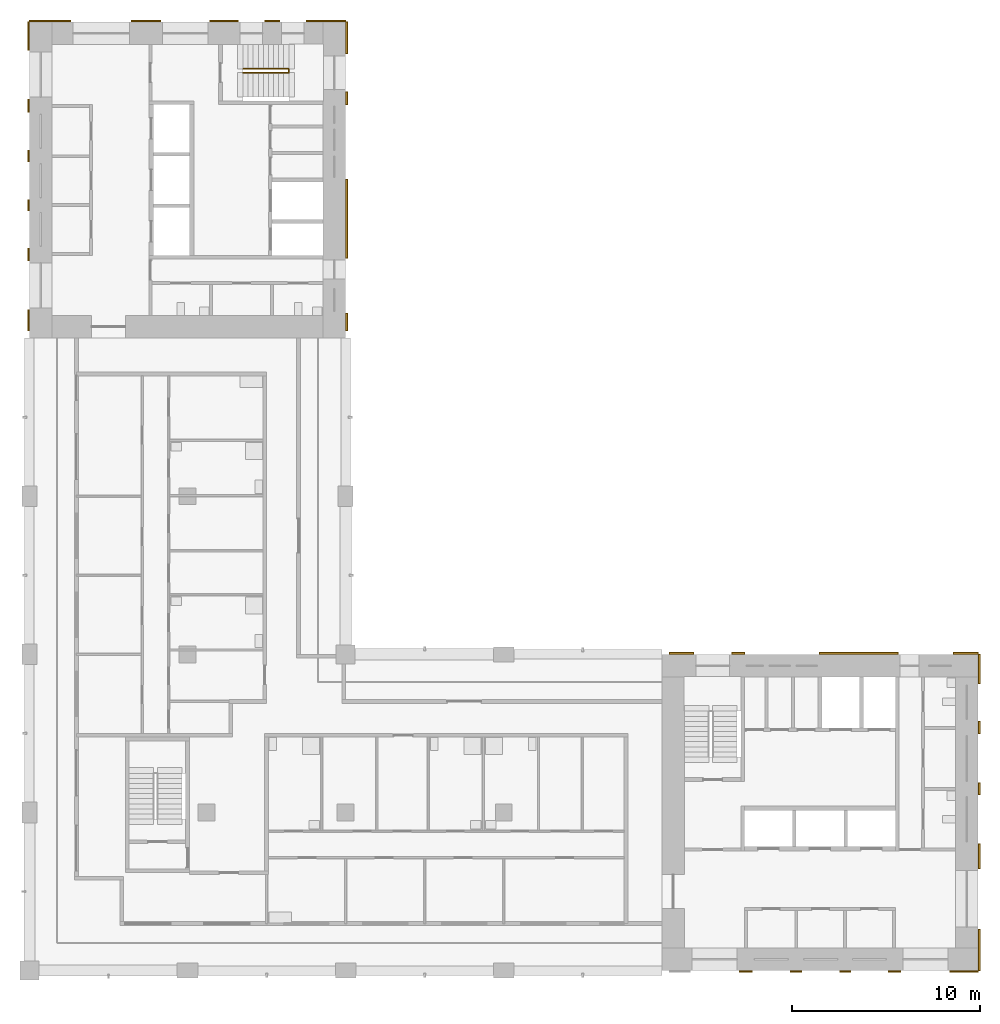
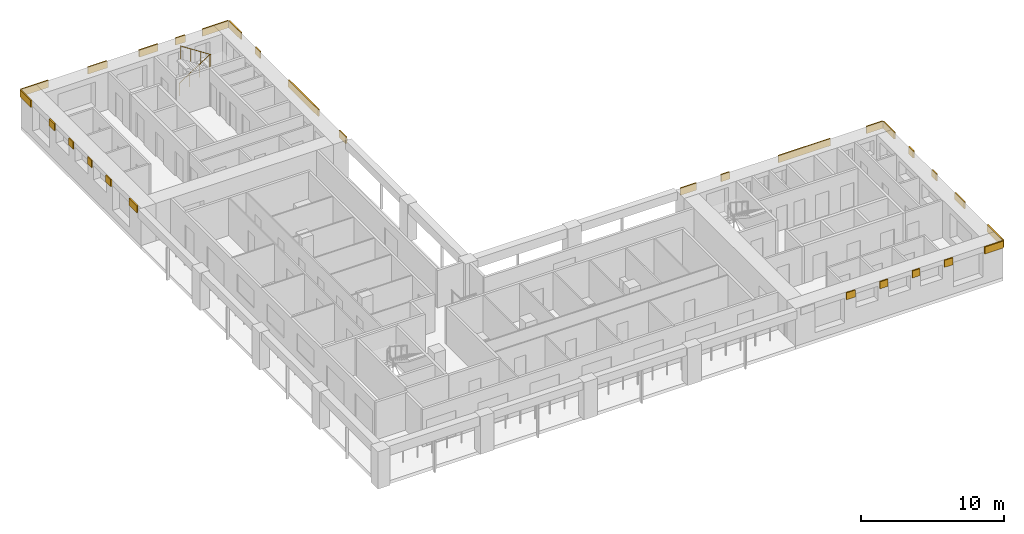
# One storey, part 9 of 10: 29 shading devices, 1 railing.
"""IFC4 building model written with IfcOpenShell, lengths in metres."""

import ifcopenshell
import ifcopenshell.guid

model = None  # the IFC model being written
_history = None  # IfcOwnerHistory: only IFC2X3 demands one
_inside = {}  # id of a spatial element -> (the spatial element, [elements in it])
_under = {}  # id of a project, library or spatial element -> (it, [spatial elements below it])
_declared = {}  # id of a project -> (the project, [libraries it declares])
_typed = {}  # id of a type object -> (the type object, [elements of that type])
_made_of = {}  # id of a material, layer set ... -> (it, [elements and type objects made of it])


def new_model(schema):
    """Start an empty IFC model of exactly this schema.

    Asked for "IFC4X3", IfcOpenShell would pick the latest addendum, in which some entities
    have other attributes; the version numbers below select the first issue.
    IFC2X3 requires an IfcOwnerHistory on every rooted entity: one is made here for all.
    """
    global model, _history
    if schema == "IFC4X3":
        model = ifcopenshell.file(schema_version=(4, 3, 0, 0))
    else:
        model = ifcopenshell.file(schema=schema)
    _inside.clear()
    _under.clear()
    _declared.clear()
    _typed.clear()
    _made_of.clear()
    _history = None
    if model.schema == "IFC2X3":
        org = make("IfcOrganization", Name="unknown")
        user = make(
            "IfcPersonAndOrganization",
            ThePerson=make("IfcPerson", FamilyName="unknown"),
            TheOrganization=org,
        )
        app = make(
            "IfcApplication",
            ApplicationDeveloper=org,
            Version="unknown",
            ApplicationFullName="unknown",
            ApplicationIdentifier="unknown",
        )
        _history = make(
            "IfcOwnerHistory",
            OwningUser=user,
            OwningApplication=app,
            ChangeAction="ADDED",
            CreationDate=0,
        )
    return model


def make(cls, **values):
    """One entity of the class cls with the attributes given. An attribute that is None is left unset."""
    return model.create_entity(
        cls, **{name: value for name, value in values.items() if value is not None}
    )


def rooted(cls, **values):
    """An entity with a GlobalId (a new one), such as an element, a storey or a relation."""
    return make(cls, GlobalId=ifcopenshell.guid.new(), OwnerHistory=_history, **values)


def si_unit(unit_type, name, prefix=None):
    """IfcSIUnit, for example si_unit("LENGTHUNIT", "METRE", prefix="MILLI")."""
    return make("IfcSIUnit", UnitType=unit_type, Prefix=prefix, Name=name)


def assignment(units):
    """IfcUnitAssignment: the units of a project."""
    return None if units is None else make("IfcUnitAssignment", Units=units)


def point(xyz):
    """IfcCartesianPoint."""
    return None if xyz is None else make("IfcCartesianPoint", Coordinates=xyz)


def direction(xyz):
    """IfcDirection."""
    return None if xyz is None else make("IfcDirection", DirectionRatios=xyz)


def frame(location, z_axis=None, x_axis=None):
    """IfcAxis2Placement3D, a coordinate frame: its origin and axes. An axis left out is left unset."""
    return make(
        "IfcAxis2Placement3D",
        Location=point(location),
        Axis=direction(z_axis),
        RefDirection=direction(x_axis),
    )


def frame_2d(location, x_axis=None):
    """IfcAxis2Placement2D, a coordinate frame in the plane: its origin and x axis."""
    return make(
        "IfcAxis2Placement2D", Location=point(location), RefDirection=direction(x_axis)
    )


def origin():
    """The frame at (0, 0, 0) with its axes left unset."""
    return frame((0.0, 0.0, 0.0))


def origin_2d():
    """The frame at (0, 0) in the plane with its x axis left unset."""
    return frame_2d((0.0, 0.0))


def place(relative_to, where):
    """IfcLocalPlacement: puts the frame where relative to a parent placement (None: the world)."""
    return make(
        "IfcLocalPlacement", PlacementRelTo=relative_to, RelativePlacement=where
    )


def context(
    kind, dimensions, precision=None, world=None, true_north=None, identifier=None
):
    """IfcGeometricRepresentationContext, for example the 3D "Model" context."""
    return make(
        "IfcGeometricRepresentationContext",
        ContextIdentifier=identifier,
        ContextType=kind,
        CoordinateSpaceDimension=dimensions,
        Precision=precision,
        WorldCoordinateSystem=world,
        TrueNorth=true_north,
    )


def subcontext(parent, identifier, kind, view, scale=None):
    """IfcGeometricRepresentationSubContext, for example "Body" below "Model"."""
    return make(
        "IfcGeometricRepresentationSubContext",
        ContextIdentifier=identifier,
        ContextType=kind,
        ParentContext=parent,
        TargetScale=scale,
        TargetView=view,
    )


def project(units=None, contexts=None):
    """IfcProject with its units and contexts."""
    return rooted(
        "IfcProject",
        Name="project",
        RepresentationContexts=contexts,
        UnitsInContext=assignment(units),
    )


def spatial(cls, under=None, at=None, **own):
    """A site, building, storey or space (cls), placed at a placement, below another one or the project."""
    s = rooted(cls, ObjectPlacement=at, **own)
    if under is not None:
        _under.setdefault(under.id(), (under, []))[1].append(s)
    return s


def profile(cls, at=None, kind="AREA", **sizes):
    """A parametric profile (cls). Its sizes go by their IFC names, for example OverallWidth=200.0."""
    return make(cls, ProfileType=kind, Position=at, **sizes)


def rectangle(**sizes):
    """IfcRectangleProfileDef."""
    return profile("IfcRectangleProfileDef", **sizes)


def circle(**sizes):
    """IfcCircleProfileDef."""
    return profile("IfcCircleProfileDef", **sizes)


def extrude(swept, where, along, depth):
    """IfcExtrudedAreaSolid: the profile swept, set in the frame where, extruded along a direction by depth."""
    return make(
        "IfcExtrudedAreaSolid",
        SweptArea=swept,
        Position=where,
        ExtrudedDirection=direction(along),
        Depth=depth,
    )


def shape(context_of_items, identifier, shape_type, items):
    """IfcShapeRepresentation: the items that make up one representation, for example the "Body"."""
    return make(
        "IfcShapeRepresentation",
        ContextOfItems=context_of_items,
        RepresentationIdentifier=identifier,
        RepresentationType=shape_type,
        Items=items,
    )


def material(Name=None, Category=None):
    """IfcMaterial."""
    return make("IfcMaterial", Name=Name, Category=Category)


def layer(
    of_material, thickness, ventilated=None, Name=None, Category=None, Priority=None
):
    """IfcMaterialLayer: one layer of a wall or slab, of a material (None: an air gap)."""
    return make(
        "IfcMaterialLayer",
        Material=of_material,
        LayerThickness=thickness,
        IsVentilated=ventilated,
        Name=Name,
        Category=Category,
        Priority=Priority,
    )


def layer_set(layers, Name=None):
    """IfcMaterialLayerSet."""
    return make("IfcMaterialLayerSet", MaterialLayers=layers, LayerSetName=Name)


def made_of(thing, what):
    """Note that an element or type object is made of a material, layer set ...; save() writes the relation."""
    if what is not None:
        _made_of.setdefault(what.id(), (what, []))[1].append(thing)
    return thing


def type_object(cls, material=None, **own):
    """A type object (cls), such as IfcWallType, which elements share."""
    return made_of(rooted(cls, **own), material)


def element(
    cls,
    number,
    at=None,
    inside=None,
    cuts=None,
    type_object=None,
    material=None,
    context=None,
    identifier="Body",
    shape_type=None,
    held_by="IfcProductDefinitionShape",
    body=None,
    shapes=None,
    **own,
):
    """One element of the class cls, such as IfcWall. Its Tag is "e" and its number.

    at: its placement. inside: the storey or other place that contains it. cuts: it is an
    opening in that element (IfcRelVoidsElement). A single representation is given by context,
    identifier, shape_type and body (its items); several are given by shapes. held_by: the class
    of the entity that holds the representations. save() writes the other relations.
    """
    e = rooted(cls, Tag="e%d" % number, ObjectPlacement=at, **own)
    if body is not None:
        shapes = [shape(context, identifier, shape_type, body)]
    if shapes is not None:
        e.Representation = make(held_by, Representations=shapes)
    if inside is not None:
        _inside.setdefault(inside.id(), (inside, []))[1].append(e)
    if cuts is not None:
        rooted(
            "IfcRelVoidsElement", RelatingBuildingElement=cuts, RelatedOpeningElement=e
        )
    if type_object is not None:
        _typed.setdefault(type_object.id(), (type_object, []))[1].append(e)
    return made_of(e, material)


def aggregate(whole, parts):
    """IfcRelAggregates: a whole, such as a stair, and the parts it consists of."""
    return rooted("IfcRelAggregates", RelatingObject=whole, RelatedObjects=parts)


def save(model, path):
    """Write the relations noted so far, then the file.

    IfcRelAggregates (storeys below a building ...), IfcRelContainedInSpatialStructure (elements
    in a storey), IfcRelDefinesByType, IfcRelAssociatesMaterial and IfcRelDeclares: one each for
    every whole, place, type object, material and project.
    """
    for whole, parts in _under.values():
        aggregate(whole, parts)
    for where, things in _inside.values():
        rooted(
            "IfcRelContainedInSpatialStructure",
            RelatedElements=things,
            RelatingStructure=where,
        )
    for kind, things in _typed.values():
        rooted("IfcRelDefinesByType", RelatedObjects=things, RelatingType=kind)
    for what, things in _made_of.values():
        rooted("IfcRelAssociatesMaterial", RelatedObjects=things, RelatingMaterial=what)
    for by, libraries in _declared.values():
        rooted("IfcRelDeclares", RelatingContext=by, RelatedDefinitions=libraries)
    model.write(path)


model = new_model("IFC4")

# Units and contexts
model_context = context("Model", 3, precision=1e-05, world=origin(), true_north=direction((0.0, 1.0)))
body_context = subcontext(model_context, "Body", "Model", "MODEL_VIEW")
ifc_project = project(units=[si_unit("LENGTHUNIT", "METRE"), si_unit("AREAUNIT", "SQUARE_METRE"), si_unit("VOLUMEUNIT", "CUBIC_METRE"), si_unit("PLANEANGLEUNIT", "RADIAN"), si_unit("MASSUNIT", "GRAM", prefix="KILO")], contexts=[model_context])

# Site, building, storey
site_placement = place(None, origin())
site = spatial("IfcSite", under=ifc_project, at=site_placement, CompositionType="ELEMENT")
building_placement = place(site_placement, origin())
building = spatial("IfcBuilding", under=site, at=building_placement, Name="Vermilion Gate Residences", CompositionType="ELEMENT")
storey_placement = place(building_placement, frame((0.0, 0.0, 273.699951171875)))
storey = spatial("IfcBuildingStorey", under=building, at=storey_placement, Name="L72", CompositionType="ELEMENT", Elevation=273.699951171875)

# Railing
ifc_material_1 = material(Name="Steel S355", Category="steel")
railing_type = type_object("IfcRailingType", Name="STAIR GUARD 1100 STEEL", PredefinedType="GUARDRAIL", material=ifc_material_1)
railing_placement = place(storey_placement, frame((19.75, 56.300048828125, 0.175048828125)))
element("IfcRailing", 1, at=railing_placement, inside=storey, type_object=railing_type, Name="Stair well guard STB1-72", PredefinedType="GUARDRAIL", context=body_context, shape_type="SweptSolid", body=[
    extrude(circle(Radius=0.02392578125, at=origin_2d()), frame((0.0, 0.0, 1.076171875), z_axis=(0.839153699163, 0.0, 0.543894354798), x_axis=(0.0, 1.0, 0.0)), (0.0, 0.0, 1.0), 2.895751953125),
    extrude(circle(Radius=0.02392578125, at=origin_2d()), frame((2.429931640625, 0.0, 2.65087890625), z_axis=(0.0, -0.752405939678, 0.658699705433), x_axis=(1.0, 0.0, 0.0)), (0.0, 0.0, 1.0), 0.265869140625),
    extrude(circle(Radius=0.02392578125, at=origin_2d()), frame((2.429931640625, -0.199951171875, 2.826171875), z_axis=(-0.839153699163, 0.0, 0.543894354798), x_axis=(0.0, -1.0, 0.0)), (0.0, 0.0, 1.0), 2.895751953125),
    extrude(circle(Radius=0.02099609375, at=origin_2d()), origin(), (0.0, 0.0, 1.0), 1.052001953125),
    extrude(circle(Radius=0.02099609375, at=origin_2d()), frame((0.81005859375, 0.0, 0.52490234375)), (0.0, 0.0, 1.0), 1.052001953125),
    extrude(circle(Radius=0.02099609375, at=origin_2d()), frame((1.619873046875, 0.0, 1.050048828125)), (0.0, 0.0, 1.0), 1.052001953125),
    extrude(circle(Radius=0.02099609375, at=origin_2d()), frame((2.429931640625, 0.0, 1.574951171875)), (0.0, 0.0, 1.0), 1.052001953125),
    extrude(circle(Radius=0.02099609375, at=origin_2d()), frame((2.429931640625, -0.199951171875, 1.75)), (0.0, 0.0, 1.0), 1.052001953125),
    extrude(circle(Radius=0.02099609375, at=origin_2d()), frame((1.619873046875, -0.199951171875, 2.27490234375)), (0.0, 0.0, 1.0), 1.052001953125),
    extrude(circle(Radius=0.02099609375, at=origin_2d()), frame((0.81005859375, -0.199951171875, 2.800048828125)), (0.0, 0.0, 1.0), 1.052001953125),
    extrude(circle(Radius=0.02099609375, at=origin_2d()), frame((0.0, -0.199951171875, 3.324951171875)), (0.0, 0.0, 1.0), 1.052001953125),
])

# Shading devices
ifc_material_2 = material(Name="Extruded terracotta", Category="masonry")
ifc_layer = layer(ifc_material_2, 0.10009765625)
ifc_layer_set = layer_set([ifc_layer], Name="TERRACOTTA SPANDREL BAND 600 X 100")
shading_device_type = type_object("IfcShadingDeviceType", Name="TERRACOTTA SPANDREL BAND 600 X 100", PredefinedType="USERDEFINED", material=ifc_layer_set)
shading_device_1_placement = place(storey_placement, frame((46.4541015625, 8.35009765625, 2.60009765625), z_axis=(0.0, 0.0, 1.0), x_axis=(1.0, 0.0, 0.0)))
element("IfcShadingDevice", 2, at=shading_device_1_placement, inside=storey, type_object=shading_device_type, Name="SPANDREL BAND", ObjectType="BAND", PredefinedType="USERDEFINED", context=body_context, shape_type="SweptSolid", body=[
    extrude(rectangle(XDim=0.7080078125, YDim=0.10009765625, at=origin_2d()), origin(), (0.0, 0.0, 1.0), 0.60009765625),
])
shading_device_2_placement = place(storey_placement, frame((49.12255859375, 8.35009765625, 2.60009765625), z_axis=(0.0, 0.0, 1.0), x_axis=(1.0, 0.0, 0.0)))
element("IfcShadingDevice", 3, at=shading_device_2_placement, inside=storey, type_object=shading_device_type, Name="SPANDREL BAND", ObjectType="BAND", PredefinedType="USERDEFINED", context=body_context, shape_type="SweptSolid", body=[
    extrude(rectangle(XDim=0.62890625, YDim=0.10009765625, at=origin_2d()), origin(), (0.0, 0.0, 1.0), 0.60009765625),
])
shading_device_3_placement = place(storey_placement, frame((51.73291015625, 8.35009765625, 2.60009765625), z_axis=(0.0, 0.0, 1.0), x_axis=(1.0, 0.0, 0.0)))
element("IfcShadingDevice", 4, at=shading_device_3_placement, inside=storey, type_object=shading_device_type, Name="SPANDREL BAND", ObjectType="BAND", PredefinedType="USERDEFINED", context=body_context, shape_type="SweptSolid", body=[
    extrude(rectangle(XDim=0.592041015625, YDim=0.10009765625, at=origin_2d()), origin(), (0.0, 0.0, 1.0), 0.60009765625),
])
shading_device_4_placement = place(storey_placement, frame((54.364501953125, 8.35009765625, 2.60009765625), z_axis=(0.0, 0.0, 1.0), x_axis=(1.0, 0.0, 0.0)))
element("IfcShadingDevice", 5, at=shading_device_4_placement, inside=storey, type_object=shading_device_type, Name="SPANDREL BAND", ObjectType="BAND", PredefinedType="USERDEFINED", context=body_context, shape_type="SweptSolid", body=[
    extrude(rectangle(XDim=0.6708984375, YDim=0.10009765625, at=origin_2d()), origin(), (0.0, 0.0, 1.0), 0.60009765625),
])
shading_device_5_placement = place(storey_placement, frame((58.050048828125, 8.35009765625, 2.60009765625), z_axis=(0.0, 0.0, 1.0), x_axis=(1.0, 0.0, 0.0)))
element("IfcShadingDevice", 6, at=shading_device_5_placement, inside=storey, type_object=shading_device_type, Name="SPANDREL BAND", ObjectType="BAND", PredefinedType="USERDEFINED", context=body_context, shape_type="SweptSolid", body=[
    extrude(rectangle(XDim=1.5, YDim=0.10009765625, at=origin_2d()), origin(), (0.0, 0.0, 1.0), 0.60009765625),
])
shading_device_6_placement = place(storey_placement, frame((43.050048828125, 25.25, 2.60009765625), z_axis=(0.0, 0.0, 1.0), x_axis=(1.0, 0.0, 0.0)))
element("IfcShadingDevice", 7, at=shading_device_6_placement, inside=storey, type_object=shading_device_type, Name="SPANDREL BAND", ObjectType="BAND", PredefinedType="USERDEFINED", context=body_context, shape_type="SweptSolid", body=[
    extrude(rectangle(XDim=1.300048828125, YDim=0.10009765625, at=origin_2d()), origin(), (0.0, 0.0, 1.0), 0.60009765625),
])
shading_device_7_placement = place(storey_placement, frame((46.044921875, 25.25, 2.60009765625), z_axis=(0.0, 0.0, 1.0), x_axis=(1.0, 0.0, 0.0)))
element("IfcShadingDevice", 8, at=shading_device_7_placement, inside=storey, type_object=shading_device_type, Name="SPANDREL BAND", ObjectType="BAND", PredefinedType="USERDEFINED", context=body_context, shape_type="SweptSolid", body=[
    extrude(rectangle(XDim=0.68994140625, YDim=0.10009765625, at=origin_2d()), origin(), (0.0, 0.0, 1.0), 0.60009765625),
])
shading_device_8_placement = place(storey_placement, frame((52.449951171875, 25.25, 2.60009765625), z_axis=(0.0, 0.0, 1.0), x_axis=(1.0, 0.0, 0.0)))
element("IfcShadingDevice", 9, at=shading_device_8_placement, inside=storey, type_object=shading_device_type, Name="SPANDREL BAND", ObjectType="BAND", PredefinedType="USERDEFINED", context=body_context, shape_type="SweptSolid", body=[
    extrude(rectangle(XDim=4.199951171875, YDim=0.10009765625, at=origin_2d()), origin(), (0.0, 0.0, 1.0), 0.60009765625),
])
shading_device_9_placement = place(storey_placement, frame((58.137451171875, 25.25, 2.60009765625), z_axis=(0.0, 0.0, 1.0), x_axis=(1.0, 0.0, 0.0)))
element("IfcShadingDevice", 10, at=shading_device_9_placement, inside=storey, type_object=shading_device_type, Name="SPANDREL BAND", ObjectType="BAND", PredefinedType="USERDEFINED", context=body_context, shape_type="SweptSolid", body=[
    extrude(rectangle(XDim=1.324951171875, YDim=0.10009765625, at=origin_2d()), origin(), (0.0, 0.0, 1.0), 0.60009765625),
])
shading_device_10_placement = place(storey_placement, frame((58.85009765625, 9.50244140625, 2.60009765625), z_axis=(0.0, 0.0, 1.0), x_axis=(0.0, 1.0, 0.0)))
element("IfcShadingDevice", 11, at=shading_device_10_placement, inside=storey, type_object=shading_device_type, Name="SPANDREL BAND", ObjectType="BAND", PredefinedType="USERDEFINED", context=body_context, shape_type="SweptSolid", body=[
    extrude(rectangle(XDim=2.205078125, YDim=0.10009765625, at=origin_2d()), origin(), (0.0, 0.0, 1.0), 0.60009765625),
])
shading_device_11_placement = place(storey_placement, frame((58.85009765625, 14.472412109375, 2.60009765625), z_axis=(0.0, 0.0, 1.0), x_axis=(0.0, 1.0, 0.0)))
element("IfcShadingDevice", 12, at=shading_device_11_placement, inside=storey, type_object=shading_device_type, Name="SPANDREL BAND", ObjectType="BAND", PredefinedType="USERDEFINED", context=body_context, shape_type="SweptSolid", body=[
    extrude(rectangle(XDim=1.3349609375, YDim=0.10009765625, at=origin_2d()), origin(), (0.0, 0.0, 1.0), 0.60009765625),
])
shading_device_12_placement = place(storey_placement, frame((58.85009765625, 18.054931640625, 2.60009765625), z_axis=(0.0, 0.0, 1.0), x_axis=(0.0, 1.0, 0.0)))
element("IfcShadingDevice", 13, at=shading_device_12_placement, inside=storey, type_object=shading_device_type, Name="SPANDREL BAND", ObjectType="BAND", PredefinedType="USERDEFINED", context=body_context, shape_type="SweptSolid", body=[
    extrude(rectangle(XDim=0.6298828125, YDim=0.10009765625, at=origin_2d()), origin(), (0.0, 0.0, 1.0), 0.60009765625),
])
shading_device_13_placement = place(storey_placement, frame((58.85009765625, 21.31005859375, 2.60009765625), z_axis=(0.0, 0.0, 1.0), x_axis=(0.0, 1.0, 0.0)))
element("IfcShadingDevice", 14, at=shading_device_13_placement, inside=storey, type_object=shading_device_type, Name="SPANDREL BAND", ObjectType="BAND", PredefinedType="USERDEFINED", context=body_context, shape_type="SweptSolid", body=[
    extrude(rectangle(XDim=0.679931640625, YDim=0.10009765625, at=origin_2d()), origin(), (0.0, 0.0, 1.0), 0.60009765625),
])
shading_device_14_placement = place(storey_placement, frame((58.85009765625, 24.425048828125, 2.60009765625), z_axis=(0.0, 0.0, 1.0), x_axis=(0.0, 1.0, 0.0)))
element("IfcShadingDevice", 15, at=shading_device_14_placement, inside=storey, type_object=shading_device_type, Name="SPANDREL BAND", ObjectType="BAND", PredefinedType="USERDEFINED", context=body_context, shape_type="SweptSolid", body=[
    extrude(rectangle(XDim=1.550048828125, YDim=0.10009765625, at=origin_2d()), origin(), (0.0, 0.0, 1.0), 0.60009765625),
])
shading_device_15_placement = place(storey_placement, frame((9.50244140625, 58.85009765625, 2.60009765625), z_axis=(0.0, 0.0, 1.0), x_axis=(1.0, 0.0, 0.0)))
element("IfcShadingDevice", 16, at=shading_device_15_placement, inside=storey, type_object=shading_device_type, Name="SPANDREL BAND", ObjectType="BAND", PredefinedType="USERDEFINED", context=body_context, shape_type="SweptSolid", body=[
    extrude(rectangle(XDim=2.205078125, YDim=0.10009765625, at=origin_2d()), origin(), (0.0, 0.0, 1.0), 0.60009765625),
])
shading_device_16_placement = place(storey_placement, frame((14.590087890625, 58.85009765625, 2.60009765625), z_axis=(0.0, 0.0, 1.0), x_axis=(1.0, 0.0, 0.0)))
element("IfcShadingDevice", 17, at=shading_device_16_placement, inside=storey, type_object=shading_device_type, Name="SPANDREL BAND", ObjectType="BAND", PredefinedType="USERDEFINED", context=body_context, shape_type="SweptSolid", body=[
    extrude(rectangle(XDim=1.570068359375, YDim=0.10009765625, at=origin_2d()), origin(), (0.0, 0.0, 1.0), 0.60009765625),
])
shading_device_17_placement = place(storey_placement, frame((18.734130859375, 58.85009765625, 2.60009765625), z_axis=(0.0, 0.0, 1.0), x_axis=(1.0, 0.0, 0.0)))
element("IfcShadingDevice", 18, at=shading_device_17_placement, inside=storey, type_object=shading_device_type, Name="SPANDREL BAND", ObjectType="BAND", PredefinedType="USERDEFINED", context=body_context, shape_type="SweptSolid", body=[
    extrude(rectangle(XDim=1.518310546875, YDim=0.10009765625, at=origin_2d()), origin(), (0.0, 0.0, 1.0), 0.60009765625),
])
shading_device_18_placement = place(storey_placement, frame((21.294921875, 58.85009765625, 2.60009765625), z_axis=(0.0, 0.0, 1.0), x_axis=(1.0, 0.0, 0.0)))
element("IfcShadingDevice", 19, at=shading_device_18_placement, inside=storey, type_object=shading_device_type, Name="SPANDREL BAND", ObjectType="BAND", PredefinedType="USERDEFINED", context=body_context, shape_type="SweptSolid", body=[
    extrude(rectangle(XDim=0.803466796875, YDim=0.10009765625, at=origin_2d()), origin(), (0.0, 0.0, 1.0), 0.60009765625),
])
shading_device_19_placement = place(storey_placement, frame((24.1484375, 58.85009765625, 2.60009765625), z_axis=(0.0, 0.0, 1.0), x_axis=(1.0, 0.0, 0.0)))
element("IfcShadingDevice", 20, at=shading_device_19_placement, inside=storey, type_object=shading_device_type, Name="SPANDREL BAND", ObjectType="BAND", PredefinedType="USERDEFINED", context=body_context, shape_type="SweptSolid", body=[
    extrude(rectangle(XDim=2.103271484375, YDim=0.10009765625, at=origin_2d()), origin(), (0.0, 0.0, 1.0), 0.60009765625),
])
shading_device_20_placement = place(storey_placement, frame((8.35009765625, 42.949951171875, 2.60009765625), z_axis=(0.0, 0.0, 1.0), x_axis=(0.0, 1.0, 0.0)))
element("IfcShadingDevice", 21, at=shading_device_20_placement, inside=storey, type_object=shading_device_type, Name="SPANDREL BAND", ObjectType="BAND", PredefinedType="USERDEFINED", context=body_context, shape_type="SweptSolid", body=[
    extrude(rectangle(XDim=1.10009765625, YDim=0.10009765625, at=origin_2d()), origin(), (0.0, 0.0, 1.0), 0.60009765625),
])
shading_device_21_placement = place(storey_placement, frame((8.35009765625, 46.435546875, 2.60009765625), z_axis=(0.0, 0.0, 1.0), x_axis=(0.0, 1.0, 0.0)))
element("IfcShadingDevice", 22, at=shading_device_21_placement, inside=storey, type_object=shading_device_type, Name="SPANDREL BAND", ObjectType="BAND", PredefinedType="USERDEFINED", context=body_context, shape_type="SweptSolid", body=[
    extrude(rectangle(XDim=0.6708984375, YDim=0.10009765625, at=origin_2d()), origin(), (0.0, 0.0, 1.0), 0.60009765625),
])
shading_device_22_placement = place(storey_placement, frame((8.35009765625, 49.06689453125, 2.60009765625), z_axis=(0.0, 0.0, 1.0), x_axis=(0.0, 1.0, 0.0)))
element("IfcShadingDevice", 23, at=shading_device_22_placement, inside=storey, type_object=shading_device_type, Name="SPANDREL BAND", ObjectType="BAND", PredefinedType="USERDEFINED", context=body_context, shape_type="SweptSolid", body=[
    extrude(rectangle(XDim=0.592041015625, YDim=0.10009765625, at=origin_2d()), origin(), (0.0, 0.0, 1.0), 0.60009765625),
])
shading_device_23_placement = place(storey_placement, frame((8.35009765625, 51.677490234375, 2.60009765625), z_axis=(0.0, 0.0, 1.0), x_axis=(0.0, 1.0, 0.0)))
element("IfcShadingDevice", 24, at=shading_device_23_placement, inside=storey, type_object=shading_device_type, Name="SPANDREL BAND", ObjectType="BAND", PredefinedType="USERDEFINED", context=body_context, shape_type="SweptSolid", body=[
    extrude(rectangle(XDim=0.62890625, YDim=0.10009765625, at=origin_2d()), origin(), (0.0, 0.0, 1.0), 0.60009765625),
])
shading_device_24_placement = place(storey_placement, frame((8.35009765625, 54.345947265625, 2.60009765625), z_axis=(0.0, 0.0, 1.0), x_axis=(0.0, 1.0, 0.0)))
element("IfcShadingDevice", 25, at=shading_device_24_placement, inside=storey, type_object=shading_device_type, Name="SPANDREL BAND", ObjectType="BAND", PredefinedType="USERDEFINED", context=body_context, shape_type="SweptSolid", body=[
    extrude(rectangle(XDim=0.7080078125, YDim=0.10009765625, at=origin_2d()), origin(), (0.0, 0.0, 1.0), 0.60009765625),
])
shading_device_25_placement = place(storey_placement, frame((8.35009765625, 58.050048828125, 2.60009765625), z_axis=(0.0, 0.0, 1.0), x_axis=(0.0, 1.0, 0.0)))
element("IfcShadingDevice", 26, at=shading_device_25_placement, inside=storey, type_object=shading_device_type, Name="SPANDREL BAND", ObjectType="BAND", PredefinedType="USERDEFINED", context=body_context, shape_type="SweptSolid", body=[
    extrude(rectangle(XDim=1.5, YDim=0.10009765625, at=origin_2d()), origin(), (0.0, 0.0, 1.0), 0.60009765625),
])
shading_device_26_placement = place(storey_placement, frame((25.25, 42.862548828125, 2.60009765625), z_axis=(0.0, 0.0, 1.0), x_axis=(0.0, 1.0, 0.0)))
element("IfcShadingDevice", 27, at=shading_device_26_placement, inside=storey, type_object=shading_device_type, Name="SPANDREL BAND", ObjectType="BAND", PredefinedType="USERDEFINED", context=body_context, shape_type="SweptSolid", body=[
    extrude(rectangle(XDim=0.925048828125, YDim=0.10009765625, at=origin_2d()), origin(), (0.0, 0.0, 1.0), 0.60009765625),
])
shading_device_27_placement = place(storey_placement, frame((25.25, 48.35009765625, 2.60009765625), z_axis=(0.0, 0.0, 1.0), x_axis=(0.0, 1.0, 0.0)))
element("IfcShadingDevice", 28, at=shading_device_27_placement, inside=storey, type_object=shading_device_type, Name="SPANDREL BAND", ObjectType="BAND", PredefinedType="USERDEFINED", context=body_context, shape_type="SweptSolid", body=[
    extrude(rectangle(XDim=4.199951171875, YDim=0.10009765625, at=origin_2d()), origin(), (0.0, 0.0, 1.0), 0.60009765625),
])
shading_device_28_placement = place(storey_placement, frame((25.25, 54.7548828125, 2.60009765625), z_axis=(0.0, 0.0, 1.0), x_axis=(0.0, 1.0, 0.0)))
element("IfcShadingDevice", 29, at=shading_device_28_placement, inside=storey, type_object=shading_device_type, Name="SPANDREL BAND", ObjectType="BAND", PredefinedType="USERDEFINED", context=body_context, shape_type="SweptSolid", body=[
    extrude(rectangle(XDim=0.68994140625, YDim=0.10009765625, at=origin_2d()), origin(), (0.0, 0.0, 1.0), 0.60009765625),
])
shading_device_29_placement = place(storey_placement, frame((25.25, 57.949951171875, 2.60009765625), z_axis=(0.0, 0.0, 1.0), x_axis=(0.0, 1.0, 0.0)))
element("IfcShadingDevice", 30, at=shading_device_29_placement, inside=storey, type_object=shading_device_type, Name="SPANDREL BAND", ObjectType="BAND", PredefinedType="USERDEFINED", context=body_context, shape_type="SweptSolid", body=[
    extrude(rectangle(XDim=1.699951171875, YDim=0.10009765625, at=origin_2d()), origin(), (0.0, 0.0, 1.0), 0.60009765625),
])

save(model, "model.ifc")
